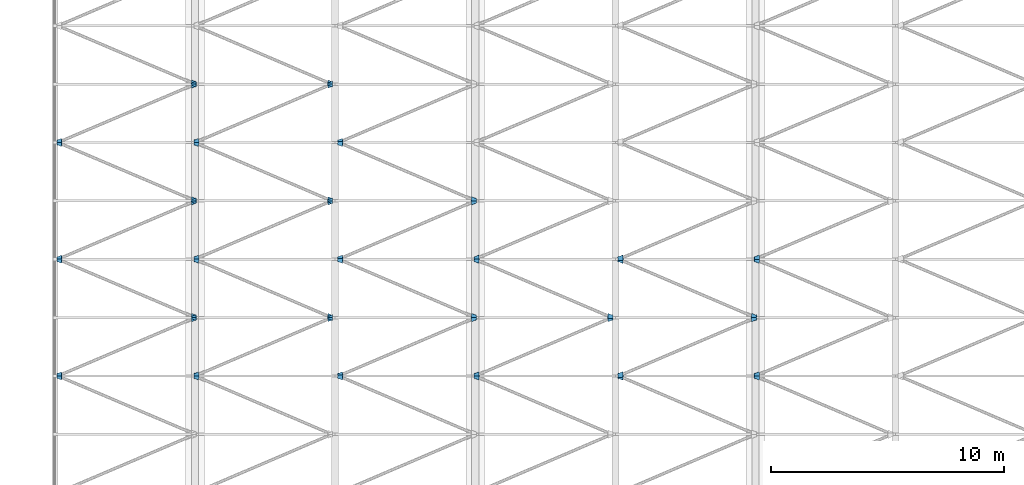
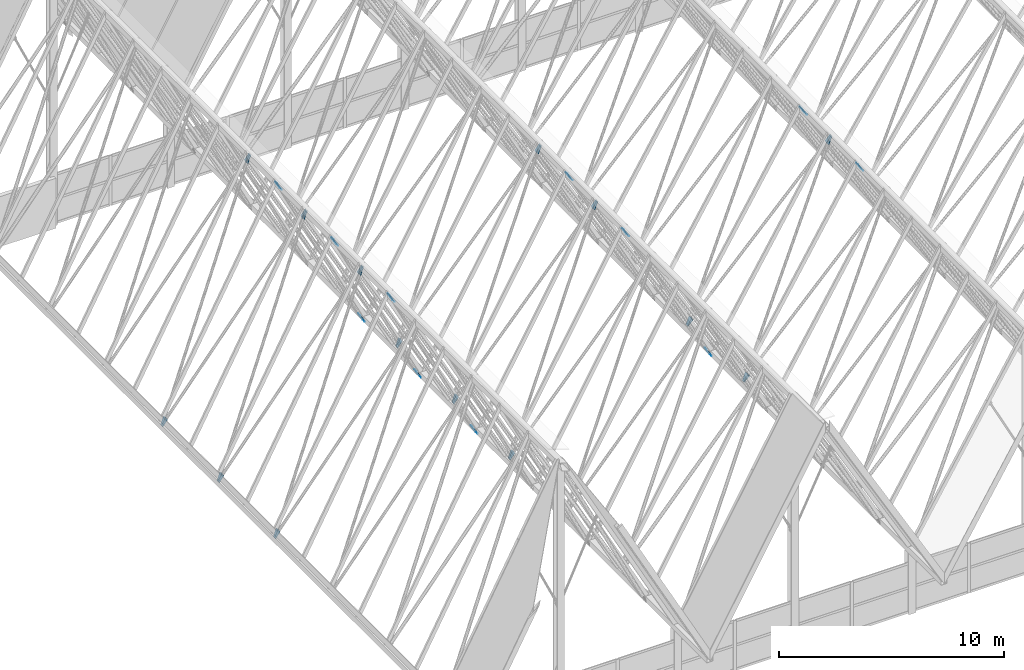
# One storey, part 415 of 483: 50 discrete accessories.
"""IFC4 building model written with IfcOpenShell, lengths in metres."""

from ifc_helpers import new_model, si_unit, direction, frame, origin, place, context, subcontext, project, spatial, polyline, outline, extrude, material, layer, layer_set, type_object, element, save


model = new_model("IFC4")

# Units and contexts
model_context = context("Model", 3, precision=1e-05, world=origin(), true_north=direction((0.0, 1.0)))
body_context = subcontext(model_context, "Body", "Model", "MODEL_VIEW")
ifc_project = project(units=[si_unit("LENGTHUNIT", "METRE"), si_unit("AREAUNIT", "SQUARE_METRE"), si_unit("VOLUMEUNIT", "CUBIC_METRE"), si_unit("PLANEANGLEUNIT", "RADIAN"), si_unit("MASSUNIT", "GRAM", prefix="KILO")], contexts=[model_context])

# Site, building, storey
site_placement = place(None, origin())
site = spatial("IfcSite", under=ifc_project, at=site_placement, CompositionType="ELEMENT")
building_placement = place(site_placement, origin())
building = spatial("IfcBuilding", under=site, at=building_placement, Name="Parallax Yard Mobility Hub", CompositionType="ELEMENT")
storey_placement = place(building_placement, frame((0.0, 0.0, 13.199951171875)))
storey = spatial("IfcBuildingStorey", under=building, at=storey_placement, Name="L04", CompositionType="ELEMENT", Elevation=13.199951171875)

# Discrete accessories
ifc_material = material(Name="Steel ASTM A36", Category="steel")
ifc_layer = layer(ifc_material, 0.011962890625)
ifc_layer_set = layer_set([ifc_layer], Name="Gusset plate PL12")
discrete_accessory_type = type_object("IfcDiscreteAccessoryType", Name="Gusset plate PL12", PredefinedType="BRACKET", material=ifc_layer_set)
discrete_accessory_1_placement = place(storey_placement, frame((27.17578125, 22.537109375, 13.36328125), z_axis=(0.868754580943, 0.000345341315, 0.495242727185), x_axis=(-0.484568892137, 0.207090666988, 0.84988613615)))
element("IfcDiscreteAccessory", 1, at=discrete_accessory_1_placement, inside=storey, type_object=discrete_accessory_type, Name="Gusset plate PL12 at end 2 of Plate diagonal plate F4-F5 bay 6", PredefinedType="BRACKET", context=body_context, shape_type="SweptSolid", body=[
    extrude(outline(polyline([(0.0, 0.0), (0.4196908714630526, 0.0), (0.4196962682363814, 0.21960554386399633), (5.3967733288293185e-06, 0.2196055438639963), (0.0, 0.0)])), origin(), (0.0, 0.0, -1.0), 0.011962890625),
])
discrete_accessory_2_placement = place(storey_placement, frame((33.33740234375, 22.533447265625, 3.716552734375), z_axis=(-0.854018875597, 0.000557720542, 0.520241721771), x_axis=(-0.507742563773, 0.21699439579, -0.833733123445)))
element("IfcDiscreteAccessory", 2, at=discrete_accessory_2_placement, inside=storey, type_object=discrete_accessory_type, Name="Gusset plate PL12 at end 2 of Plate diagonal plate F5-F6 bay 6", PredefinedType="BRACKET", context=body_context, shape_type="SweptSolid", body=[
    extrude(outline(polyline([(0.0, 0.0), (0.41966253264156217, 0.0), (0.41978511409084773, 0.219614864219578), (-8.096667655547313e-05, 0.21956968987108047), (0.0, 0.0)])), origin(), (0.0, 0.0, -1.0), 0.011962890625),
])
discrete_accessory_3_placement = place(storey_placement, frame((39.184814453125, 22.533447265625, 12.711669921875), z_axis=(0.854016692741, 0.000119683392, 0.52024559027), x_axis=(-0.50787179366, 0.216994477704, 0.833654387532)))
element("IfcDiscreteAccessory", 3, at=discrete_accessory_3_placement, inside=storey, type_object=discrete_accessory_type, Name="Gusset plate PL12 at end 2 of Plate diagonal plate F6-F7 bay 6", PredefinedType="BRACKET", context=body_context, shape_type="SweptSolid", body=[
    extrude(outline(polyline([(0.0, 0.0), (0.41966253744663834, -1.3877787807814457e-17), (0.4194575882440381, 0.21954206328546932), (-0.00020494920260025196, 0.21954206328546932), (0.0, 0.0)])), origin(), (0.0, 0.0, -1.0), 0.011962890625),
])
discrete_accessory_4_placement = place(storey_placement, frame((9.29443359375, 22.540771484375, 3.678955078125), z_axis=(-0.881330506499, 0.000364781086, 0.472500164284), x_axis=(-0.463153892363, 0.197247700391, -0.864049661003)))
element("IfcDiscreteAccessory", 4, at=discrete_accessory_4_placement, inside=storey, type_object=discrete_accessory_type, Name="Gusset plate PL12 at end 2 of Plate diagonal plate F1-F2 bay 6", PredefinedType="BRACKET", context=body_context, shape_type="SweptSolid", body=[
    extrude(outline(polyline([(0.0, 0.0), (0.4195925818708517, 0.0), (0.4195252484554286, 0.21963375914747532), (-6.7333415423039e-05, 0.21963375914747532), (0.0, 0.0)])), origin(), (0.0, 0.0, -1.0), 0.011962890625),
])
discrete_accessory_5_placement = place(storey_placement, frame((15.16748046875, 22.54052734375, 14.016357421875), z_axis=(0.881379531928, 0.00015000554, 0.472408825274), x_axis=(-0.463100667478, 0.197806817767, 0.863950365835)))
element("IfcDiscreteAccessory", 5, at=discrete_accessory_5_placement, inside=storey, type_object=discrete_accessory_type, Name="Gusset plate PL12 at end 2 of Plate diagonal plate F2-F3 bay 6", PredefinedType="BRACKET", context=body_context, shape_type="SweptSolid", body=[
    extrude(outline(polyline([(0.0, 0.0), (0.4196408063032597, 0.0), (0.4196591291142459, 0.21967623587709556), (1.8322810986286242e-05, 0.2196762358770956), (0.0, 0.0)])), origin(), (0.0, 0.0, -1.0), 0.011962890625),
])
discrete_accessory_6_placement = place(storey_placement, frame((21.328369140625, 22.537109375, 3.72216796875), z_axis=(-0.868696794053, 0.000898687081, 0.495343388332), x_axis=(-0.484454521055, 0.206988455494, -0.849976232798)))
element("IfcDiscreteAccessory", 6, at=discrete_accessory_6_placement, inside=storey, type_object=discrete_accessory_type, Name="Gusset plate PL12 at end 2 of Plate diagonal plate F3-F4 bay 6", PredefinedType="BRACKET", context=body_context, shape_type="SweptSolid", body=[
    extrude(outline(polyline([(0.0, 0.0), (0.4198983785511328, 1.3877787807814457e-17), (0.41983749063708, 0.21958679860225017), (0.00014662581465764435, 0.21963059128649676), (0.0, 0.0)])), origin(), (0.0, 0.0, -1.0), 0.011962890625),
])
discrete_accessory_7_placement = place(storey_placement, frame((27.1533203125, 22.677734375, 13.40283203125), z_axis=(0.868754580943, -0.000345341315, 0.495242727185), x_axis=(-0.484568892137, -0.207090666988, 0.84988613615)))
element("IfcDiscreteAccessory", 7, at=discrete_accessory_7_placement, inside=storey, type_object=discrete_accessory_type, Name="Gusset plate PL12 at end 1 of Plate diagonal plate F4-F5 bay 7", PredefinedType="BRACKET", context=body_context, shape_type="SweptSolid", body=[
    extrude(outline(polyline([(0.0, 0.0), (0.4196908714630526, 0.0), (0.4196854746897237, 0.2196055438639963), (-5.3967733288293185e-06, 0.2196055438639963), (0.0, 0.0)])), origin(), (0.0, 0.0, -1.0), 0.011962890625),
])
discrete_accessory_8_placement = place(storey_placement, frame((32.6943359375, 24.822265625, 3.6826171875), z_axis=(0.868696794053, 0.000898687081, 0.495343388332), x_axis=(0.484443740172, 0.207090539659, -0.849957511286)))
element("IfcDiscreteAccessory", 8, at=discrete_accessory_8_placement, inside=storey, type_object=discrete_accessory_type, Name="Gusset plate PL12 at end 2 of Plate diagonal plate F4-F5 bay 7", PredefinedType="BRACKET", context=body_context, shape_type="SweptSolid", body=[
    extrude(outline(polyline([(0.0, 0.0), (0.41969086710719833, 1.3877787807814457e-17), (0.4197746678267241, 0.21958679105347548), (-0.00012370843850314367, 0.21963060539052376), (0.0, 0.0)])), origin(), (0.0, 0.0, -1.0), 0.011962890625),
])
discrete_accessory_9_placement = place(storey_placement, frame((33.3125, 22.680908203125, 3.676025390625), z_axis=(-0.854018875597, -0.000557720542, 0.520241721771), x_axis=(-0.507754756906, -0.21688936589, -0.833753026863)))
element("IfcDiscreteAccessory", 9, at=discrete_accessory_9_placement, inside=storey, type_object=discrete_accessory_type, Name="Gusset plate PL12 at end 1 of Plate diagonal plate F5-F6 bay 7", PredefinedType="BRACKET", context=body_context, shape_type="SweptSolid", body=[
    extrude(outline(polyline([(0.0, 0.0), (0.41986608319760876, -1.3877787807814457e-17), (0.41971987288542956, 0.219614849759619), (5.7342672894721e-05, 0.21956969731158954), (0.0, 0.0)])), origin(), (0.0, 0.0, -1.0), 0.011962890625),
])
for number, where, z_axis, x_axis, name in (
    (10, (38.83984375, 24.819091796875, 12.752197265625), (-0.854016692741, 0.000119683392, 0.52024559027), (0.50787179366, 0.216994477704, 0.833654387532), "Gusset plate PL12 at end 2 of Plate diagonal plate F5-F6 bay 7"),
    (11, (39.16015625, 22.680908203125, 12.752197265625), (0.854016692741, -0.000119683392, 0.52024559027), (-0.50787179366, -0.216994477704, 0.833654387532), "Gusset plate PL12 at end 1 of Plate diagonal plate F6-F7 bay 7"),
):
    element("IfcDiscreteAccessory", number, at=place(storey_placement, frame(where, z_axis=z_axis, x_axis=x_axis)), inside=storey, type_object=discrete_accessory_type, Name=name, PredefinedType="BRACKET", context=body_context, shape_type="SweptSolid", body=[
        extrude(outline(polyline([(0.0, 0.0), (0.41966253744663834, 1.3877787807814457e-17), (0.41986748664923856, 0.21954206328546938), (0.00020494920260025196, 0.21954206328546932), (0.0, 0.0)])), origin(), (0.0, 0.0, -1.0), 0.011962890625),
    ])
discrete_accessory_10_placement = place(storey_placement, frame((9.27392578125, 22.674560546875, 3.640869140625), z_axis=(-0.881330506499, -0.000364781086, 0.472500164284), x_axis=(-0.463153892363, -0.197247700391, -0.864049661003)))
element("IfcDiscreteAccessory", 12, at=discrete_accessory_10_placement, inside=storey, type_object=discrete_accessory_type, Name="Gusset plate PL12 at end 1 of Plate diagonal plate F1-F2 bay 7", PredefinedType="BRACKET", context=body_context, shape_type="SweptSolid", body=[
    extrude(outline(polyline([(0.0, 0.0), (0.4195925818708517, 0.0), (0.4196599152862747, 0.21963375914747532), (6.7333415423039e-05, 0.21963375914747532), (0.0, 0.0)])), origin(), (0.0, 0.0, -1.0), 0.011962890625),
])
discrete_accessory_11_placement = place(storey_placement, frame((14.85302734375, 24.825439453125, 14.054443359375), z_axis=(-0.881457749689, -0.000418899554, 0.472262702356), x_axis=(0.462921139514, 0.197148575748, 0.864197001656)))
element("IfcDiscreteAccessory", 13, at=discrete_accessory_11_placement, inside=storey, type_object=discrete_accessory_type, Name="Gusset plate PL12 at end 2 of Plate diagonal plate F1-F2 bay 7", PredefinedType="BRACKET", context=body_context, shape_type="SweptSolid", body=[
    extrude(outline(polyline([(0.0, 0.0), (0.4198035494855601, 0.0), (0.4198486998351981, 0.2196337648279198), (4.515034963806924e-05, 0.2196337648279198), (0.0, 0.0)])), origin(), (0.0, 0.0, -1.0), 0.011962890625),
])
discrete_accessory_12_placement = place(storey_placement, frame((15.14697265625, 22.6748046875, 14.0546875), z_axis=(0.881379531928, -0.00015000554, 0.472408825274), x_axis=(-0.463100667478, -0.197806817767, 0.863950365835)))
element("IfcDiscreteAccessory", 14, at=discrete_accessory_12_placement, inside=storey, type_object=discrete_accessory_type, Name="Gusset plate PL12 at end 1 of Plate diagonal plate F2-F3 bay 7", PredefinedType="BRACKET", context=body_context, shape_type="SweptSolid", body=[
    extrude(outline(polyline([(0.0, 0.0), (0.4196408063032597, 0.0), (0.4196224834922734, 0.21967623587709556), (-1.8322810986286242e-05, 0.2196762358770956), (0.0, 0.0)])), origin(), (0.0, 0.0, -1.0), 0.011962890625),
])
discrete_accessory_13_placement = place(storey_placement, frame((20.70068359375, 24.8251953125, 3.688232421875), z_axis=(0.881506711294, -9.5645112e-05, 0.472171482404), x_axis=(0.462867994823, 0.197707434975, -0.86409778933)))
element("IfcDiscreteAccessory", 15, at=discrete_accessory_13_placement, inside=storey, type_object=discrete_accessory_type, Name="Gusset plate PL12 at end 2 of Plate diagonal plate F2-F3 bay 7", PredefinedType="BRACKET", context=body_context, shape_type="SweptSolid", body=[
    extrude(outline(polyline([(0.0, 0.0), (0.4198517496860976, 0.0), (0.4198111474296618, 0.21967623288902122), (-4.0602256435769146e-05, 0.21967623288902127), (0.0, 0.0)])), origin(), (0.0, 0.0, -1.0), 0.011962890625),
])
discrete_accessory_14_placement = place(storey_placement, frame((21.3056640625, 22.677734375, 3.6826171875), z_axis=(-0.868696794053, -0.000898687081, 0.495343388332), x_axis=(-0.484443740172, -0.207090539659, -0.849957511286)))
element("IfcDiscreteAccessory", 16, at=discrete_accessory_14_placement, inside=storey, type_object=discrete_accessory_type, Name="Gusset plate PL12 at end 1 of Plate diagonal plate F3-F4 bay 7", PredefinedType="BRACKET", context=body_context, shape_type="SweptSolid", body=[
    extrude(outline(polyline([(0.0, 0.0), (0.41969086710719833, 1.3877787807814457e-17), (0.4197746678267241, 0.21958679105347548), (-0.00012370843850314367, 0.21963060539052376), (0.0, 0.0)])), origin(), (0.0, 0.0, -1.0), 0.011962890625),
])
discrete_accessory_15_placement = place(storey_placement, frame((26.8466796875, 24.822265625, 13.40283203125), z_axis=(-0.868754580943, 0.000345341315, 0.495242727185), x_axis=(0.484568892137, 0.207090666988, 0.84988613615)))
element("IfcDiscreteAccessory", 17, at=discrete_accessory_15_placement, inside=storey, type_object=discrete_accessory_type, Name="Gusset plate PL12 at end 2 of Plate diagonal plate F3-F4 bay 7", PredefinedType="BRACKET", context=body_context, shape_type="SweptSolid", body=[
    extrude(outline(polyline([(0.0, 0.0), (0.4196908714630526, 0.0), (0.4196854746897237, 0.2196055438639963), (-5.3967733288293185e-06, 0.2196055438639963), (0.0, 0.0)])), origin(), (0.0, 0.0, -1.0), 0.011962890625),
])
discrete_accessory_16_placement = place(storey_placement, frame((32.671630859375, 24.962890625, 3.72216796875), z_axis=(0.868696794053, -0.000898687081, 0.495343388332), x_axis=(0.484454521055, -0.206988455494, -0.849976232798)))
element("IfcDiscreteAccessory", 18, at=discrete_accessory_16_placement, inside=storey, type_object=discrete_accessory_type, Name="Gusset plate PL12 at end 1 of Plate diagonal plate F4-F5 bay 8", PredefinedType="BRACKET", context=body_context, shape_type="SweptSolid", body=[
    extrude(outline(polyline([(0.0, 0.0), (0.4198983785511328, 1.3877787807814457e-17), (0.41983749063708, 0.21958679860225017), (0.00014662581465764435, 0.21963059128649676), (0.0, 0.0)])), origin(), (0.0, 0.0, -1.0), 0.011962890625),
])
discrete_accessory_17_placement = place(storey_placement, frame((27.17578125, 27.537109375, 13.36328125), z_axis=(0.868754580943, 0.000345341315, 0.495242727185), x_axis=(-0.484568892137, 0.207090666988, 0.84988613615)))
element("IfcDiscreteAccessory", 19, at=discrete_accessory_17_placement, inside=storey, type_object=discrete_accessory_type, Name="Gusset plate PL12 at end 2 of Plate diagonal plate F4-F5 bay 8", PredefinedType="BRACKET", context=body_context, shape_type="SweptSolid", body=[
    extrude(outline(polyline([(0.0, 0.0), (0.4196908714630526, 0.0), (0.4196962682363814, 0.21960554386399633), (5.3967733288293185e-06, 0.2196055438639963), (0.0, 0.0)])), origin(), (0.0, 0.0, -1.0), 0.011962890625),
])
discrete_accessory_18_placement = place(storey_placement, frame((38.815185546875, 24.966552734375, 12.711669921875), z_axis=(-0.854016692741, -0.000119683392, 0.52024559027), x_axis=(0.50787179366, -0.216994477704, 0.833654387532)))
element("IfcDiscreteAccessory", 20, at=discrete_accessory_18_placement, inside=storey, type_object=discrete_accessory_type, Name="Gusset plate PL12 at end 1 of Plate diagonal plate F5-F6 bay 8", PredefinedType="BRACKET", context=body_context, shape_type="SweptSolid", body=[
    extrude(outline(polyline([(0.0, 0.0), (0.41966253744663834, -1.3877787807814457e-17), (0.4194575882440381, 0.21954206328546932), (-0.00020494920260025196, 0.21954206328546932), (0.0, 0.0)])), origin(), (0.0, 0.0, -1.0), 0.011962890625),
])
discrete_accessory_19_placement = place(storey_placement, frame((33.33740234375, 27.533447265625, 3.716552734375), z_axis=(-0.854018875597, 0.000557720542, 0.520241721771), x_axis=(-0.507742563773, 0.21699439579, -0.833733123445)))
element("IfcDiscreteAccessory", 21, at=discrete_accessory_19_placement, inside=storey, type_object=discrete_accessory_type, Name="Gusset plate PL12 at end 2 of Plate diagonal plate F5-F6 bay 8", PredefinedType="BRACKET", context=body_context, shape_type="SweptSolid", body=[
    extrude(outline(polyline([(0.0, 0.0), (0.41966253264156217, 0.0), (0.41978511409084773, 0.219614864219578), (-8.096667655547313e-05, 0.21956968987108047), (0.0, 0.0)])), origin(), (0.0, 0.0, -1.0), 0.011962890625),
])
discrete_accessory_20_placement = place(storey_placement, frame((39.184814453125, 27.533447265625, 12.711669921875), z_axis=(0.854016692741, 0.000119683392, 0.52024559027), x_axis=(-0.50787179366, 0.216994477704, 0.833654387532)))
element("IfcDiscreteAccessory", 22, at=discrete_accessory_20_placement, inside=storey, type_object=discrete_accessory_type, Name="Gusset plate PL12 at end 2 of Plate diagonal plate F6-F7 bay 8", PredefinedType="BRACKET", context=body_context, shape_type="SweptSolid", body=[
    extrude(outline(polyline([(0.0, 0.0), (0.41966253744663834, -1.3877787807814457e-17), (0.4194575882440381, 0.21954206328546932), (-0.00020494920260025196, 0.21954206328546932), (0.0, 0.0)])), origin(), (0.0, 0.0, -1.0), 0.011962890625),
])
discrete_accessory_21_placement = place(storey_placement, frame((14.83251953125, 24.959228515625, 14.016357421875), z_axis=(-0.881457749689, 0.000418899554, 0.472262702356), x_axis=(0.462921139514, -0.197148575748, 0.864197001656)))
element("IfcDiscreteAccessory", 23, at=discrete_accessory_21_placement, inside=storey, type_object=discrete_accessory_type, Name="Gusset plate PL12 at end 1 of Plate diagonal plate F1-F2 bay 8", PredefinedType="BRACKET", context=body_context, shape_type="SweptSolid", body=[
    extrude(outline(polyline([(0.0, 0.0), (0.4198035494855601, 0.0), (0.419758399135922, 0.21963376482791974), (-4.515034963806924e-05, 0.2196337648279198), (0.0, 0.0)])), origin(), (0.0, 0.0, -1.0), 0.011962890625),
])
discrete_accessory_22_placement = place(storey_placement, frame((9.29443359375, 27.540771484375, 3.678955078125), z_axis=(-0.881330506499, 0.000364781086, 0.472500164284), x_axis=(-0.463153892363, 0.197247700391, -0.864049661003)))
element("IfcDiscreteAccessory", 24, at=discrete_accessory_22_placement, inside=storey, type_object=discrete_accessory_type, Name="Gusset plate PL12 at end 2 of Plate diagonal plate F1-F2 bay 8", PredefinedType="BRACKET", context=body_context, shape_type="SweptSolid", body=[
    extrude(outline(polyline([(0.0, 0.0), (0.4195925818708517, 0.0), (0.4195252484554286, 0.21963375914747532), (-6.7333415423039e-05, 0.21963375914747532), (0.0, 0.0)])), origin(), (0.0, 0.0, -1.0), 0.011962890625),
])
discrete_accessory_23_placement = place(storey_placement, frame((20.68017578125, 24.95947265625, 3.7265625), z_axis=(0.881506711294, 9.5645112e-05, 0.472171482404), x_axis=(0.462867994823, -0.197707434975, -0.86409778933)))
element("IfcDiscreteAccessory", 25, at=discrete_accessory_23_placement, inside=storey, type_object=discrete_accessory_type, Name="Gusset plate PL12 at end 1 of Plate diagonal plate F2-F3 bay 8", PredefinedType="BRACKET", context=body_context, shape_type="SweptSolid", body=[
    extrude(outline(polyline([(0.0, 0.0), (0.4198517496860976, 0.0), (0.4198923519425334, 0.21967623288902127), (4.0602256435769146e-05, 0.21967623288902127), (0.0, 0.0)])), origin(), (0.0, 0.0, -1.0), 0.011962890625),
])
discrete_accessory_24_placement = place(storey_placement, frame((15.16748046875, 27.54052734375, 14.016357421875), z_axis=(0.881379531928, 0.00015000554, 0.472408825274), x_axis=(-0.463100667478, 0.197806817767, 0.863950365835)))
element("IfcDiscreteAccessory", 26, at=discrete_accessory_24_placement, inside=storey, type_object=discrete_accessory_type, Name="Gusset plate PL12 at end 2 of Plate diagonal plate F2-F3 bay 8", PredefinedType="BRACKET", context=body_context, shape_type="SweptSolid", body=[
    extrude(outline(polyline([(0.0, 0.0), (0.4196408063032597, 0.0), (0.4196591291142459, 0.21967623587709556), (1.8322810986286242e-05, 0.2196762358770956), (0.0, 0.0)])), origin(), (0.0, 0.0, -1.0), 0.011962890625),
])
discrete_accessory_25_placement = place(storey_placement, frame((26.82421875, 24.962890625, 13.36328125), z_axis=(-0.868754580943, -0.000345341315, 0.495242727185), x_axis=(0.484568892137, -0.207090666988, 0.84988613615)))
element("IfcDiscreteAccessory", 27, at=discrete_accessory_25_placement, inside=storey, type_object=discrete_accessory_type, Name="Gusset plate PL12 at end 1 of Plate diagonal plate F3-F4 bay 8", PredefinedType="BRACKET", context=body_context, shape_type="SweptSolid", body=[
    extrude(outline(polyline([(0.0, 0.0), (0.4196908714630526, 0.0), (0.4196962682363814, 0.21960554386399633), (5.3967733288293185e-06, 0.2196055438639963), (0.0, 0.0)])), origin(), (0.0, 0.0, -1.0), 0.011962890625),
])
discrete_accessory_26_placement = place(storey_placement, frame((21.328369140625, 27.537109375, 3.72216796875), z_axis=(-0.868696794053, 0.000898687081, 0.495343388332), x_axis=(-0.484454521055, 0.206988455494, -0.849976232798)))
element("IfcDiscreteAccessory", 28, at=discrete_accessory_26_placement, inside=storey, type_object=discrete_accessory_type, Name="Gusset plate PL12 at end 2 of Plate diagonal plate F3-F4 bay 8", PredefinedType="BRACKET", context=body_context, shape_type="SweptSolid", body=[
    extrude(outline(polyline([(0.0, 0.0), (0.4198983785511328, 1.3877787807814457e-17), (0.41983749063708, 0.21958679860225017), (0.00014662581465764435, 0.21963059128649676), (0.0, 0.0)])), origin(), (0.0, 0.0, -1.0), 0.011962890625),
])
discrete_accessory_27_placement = place(storey_placement, frame((27.1533203125, 27.677734375, 13.40283203125), z_axis=(0.868754580943, -0.000345341315, 0.495242727185), x_axis=(-0.484568892137, -0.207090666988, 0.84988613615)))
element("IfcDiscreteAccessory", 29, at=discrete_accessory_27_placement, inside=storey, type_object=discrete_accessory_type, Name="Gusset plate PL12 at end 1 of Plate diagonal plate F4-F5 bay 9", PredefinedType="BRACKET", context=body_context, shape_type="SweptSolid", body=[
    extrude(outline(polyline([(0.0, 0.0), (0.4196908714630526, 0.0), (0.4196854746897237, 0.2196055438639963), (-5.3967733288293185e-06, 0.2196055438639963), (0.0, 0.0)])), origin(), (0.0, 0.0, -1.0), 0.011962890625),
])
discrete_accessory_28_placement = place(storey_placement, frame((33.3125, 27.680908203125, 3.676025390625), z_axis=(-0.854018875597, -0.000557720542, 0.520241721771), x_axis=(-0.507754756906, -0.21688936589, -0.833753026863)))
element("IfcDiscreteAccessory", 30, at=discrete_accessory_28_placement, inside=storey, type_object=discrete_accessory_type, Name="Gusset plate PL12 at end 1 of Plate diagonal plate F5-F6 bay 9", PredefinedType="BRACKET", context=body_context, shape_type="SweptSolid", body=[
    extrude(outline(polyline([(0.0, 0.0), (0.41986608319760876, -1.3877787807814457e-17), (0.41971987288542956, 0.219614849759619), (5.7342672894721e-05, 0.21956969731158954), (0.0, 0.0)])), origin(), (0.0, 0.0, -1.0), 0.011962890625),
])
discrete_accessory_29_placement = place(storey_placement, frame((39.16015625, 27.680908203125, 12.752197265625), z_axis=(0.854016692741, -0.000119683392, 0.52024559027), x_axis=(-0.50787179366, -0.216994477704, 0.833654387532)))
element("IfcDiscreteAccessory", 31, at=discrete_accessory_29_placement, inside=storey, type_object=discrete_accessory_type, Name="Gusset plate PL12 at end 1 of Plate diagonal plate F6-F7 bay 9", PredefinedType="BRACKET", context=body_context, shape_type="SweptSolid", body=[
    extrude(outline(polyline([(0.0, 0.0), (0.41966253744663834, 1.3877787807814457e-17), (0.41986748664923856, 0.21954206328546938), (0.00020494920260025196, 0.21954206328546932), (0.0, 0.0)])), origin(), (0.0, 0.0, -1.0), 0.011962890625),
])
discrete_accessory_30_placement = place(storey_placement, frame((9.27392578125, 27.674560546875, 3.640869140625), z_axis=(-0.881330506499, -0.000364781086, 0.472500164284), x_axis=(-0.463153892363, -0.197247700391, -0.864049661003)))
element("IfcDiscreteAccessory", 32, at=discrete_accessory_30_placement, inside=storey, type_object=discrete_accessory_type, Name="Gusset plate PL12 at end 1 of Plate diagonal plate F1-F2 bay 9", PredefinedType="BRACKET", context=body_context, shape_type="SweptSolid", body=[
    extrude(outline(polyline([(0.0, 0.0), (0.4195925818708517, 0.0), (0.4196599152862747, 0.21963375914747532), (6.7333415423039e-05, 0.21963375914747532), (0.0, 0.0)])), origin(), (0.0, 0.0, -1.0), 0.011962890625),
])
discrete_accessory_31_placement = place(storey_placement, frame((14.85302734375, 29.825439453125, 14.054443359375), z_axis=(-0.881457749689, -0.000418899554, 0.472262702356), x_axis=(0.462921139514, 0.197148575748, 0.864197001656)))
element("IfcDiscreteAccessory", 33, at=discrete_accessory_31_placement, inside=storey, type_object=discrete_accessory_type, Name="Gusset plate PL12 at end 2 of Plate diagonal plate F1-F2 bay 9", PredefinedType="BRACKET", context=body_context, shape_type="SweptSolid", body=[
    extrude(outline(polyline([(0.0, 0.0), (0.4198035494855601, 0.0), (0.4198486998351981, 0.2196337648279198), (4.515034963806924e-05, 0.2196337648279198), (0.0, 0.0)])), origin(), (0.0, 0.0, -1.0), 0.011962890625),
])
discrete_accessory_32_placement = place(storey_placement, frame((15.14697265625, 27.6748046875, 14.0546875), z_axis=(0.881379531928, -0.00015000554, 0.472408825274), x_axis=(-0.463100667478, -0.197806817767, 0.863950365835)))
element("IfcDiscreteAccessory", 34, at=discrete_accessory_32_placement, inside=storey, type_object=discrete_accessory_type, Name="Gusset plate PL12 at end 1 of Plate diagonal plate F2-F3 bay 9", PredefinedType="BRACKET", context=body_context, shape_type="SweptSolid", body=[
    extrude(outline(polyline([(0.0, 0.0), (0.4196408063032597, 0.0), (0.4196224834922734, 0.21967623587709556), (-1.8322810986286242e-05, 0.2196762358770956), (0.0, 0.0)])), origin(), (0.0, 0.0, -1.0), 0.011962890625),
])
discrete_accessory_33_placement = place(storey_placement, frame((20.70068359375, 29.8251953125, 3.688232421875), z_axis=(0.881506711294, -9.5645112e-05, 0.472171482404), x_axis=(0.462867994823, 0.197707434975, -0.86409778933)))
element("IfcDiscreteAccessory", 35, at=discrete_accessory_33_placement, inside=storey, type_object=discrete_accessory_type, Name="Gusset plate PL12 at end 2 of Plate diagonal plate F2-F3 bay 9", PredefinedType="BRACKET", context=body_context, shape_type="SweptSolid", body=[
    extrude(outline(polyline([(0.0, 0.0), (0.4198517496860976, 0.0), (0.4198111474296618, 0.21967623288902122), (-4.0602256435769146e-05, 0.21967623288902127), (0.0, 0.0)])), origin(), (0.0, 0.0, -1.0), 0.011962890625),
])
discrete_accessory_34_placement = place(storey_placement, frame((21.3056640625, 27.677734375, 3.6826171875), z_axis=(-0.868696794053, -0.000898687081, 0.495343388332), x_axis=(-0.484443740172, -0.207090539659, -0.849957511286)))
element("IfcDiscreteAccessory", 36, at=discrete_accessory_34_placement, inside=storey, type_object=discrete_accessory_type, Name="Gusset plate PL12 at end 1 of Plate diagonal plate F3-F4 bay 9", PredefinedType="BRACKET", context=body_context, shape_type="SweptSolid", body=[
    extrude(outline(polyline([(0.0, 0.0), (0.41969086710719833, 1.3877787807814457e-17), (0.4197746678267241, 0.21958679105347548), (-0.00012370843850314367, 0.21963060539052376), (0.0, 0.0)])), origin(), (0.0, 0.0, -1.0), 0.011962890625),
])
discrete_accessory_35_placement = place(storey_placement, frame((26.8466796875, 29.822265625, 13.40283203125), z_axis=(-0.868754580943, 0.000345341315, 0.495242727185), x_axis=(0.484568892137, 0.207090666988, 0.84988613615)))
element("IfcDiscreteAccessory", 37, at=discrete_accessory_35_placement, inside=storey, type_object=discrete_accessory_type, Name="Gusset plate PL12 at end 2 of Plate diagonal plate F3-F4 bay 9", PredefinedType="BRACKET", context=body_context, shape_type="SweptSolid", body=[
    extrude(outline(polyline([(0.0, 0.0), (0.4196908714630526, 0.0), (0.4196854746897237, 0.2196055438639963), (-5.3967733288293185e-06, 0.2196055438639963), (0.0, 0.0)])), origin(), (0.0, 0.0, -1.0), 0.011962890625),
])
discrete_accessory_36_placement = place(storey_placement, frame((14.83251953125, 29.959228515625, 14.016357421875), z_axis=(-0.881457749689, 0.000418899554, 0.472262702356), x_axis=(0.462921139514, -0.197148575748, 0.864197001656)))
element("IfcDiscreteAccessory", 38, at=discrete_accessory_36_placement, inside=storey, type_object=discrete_accessory_type, Name="Gusset plate PL12 at end 1 of Plate diagonal plate F1-F2 bay 10", PredefinedType="BRACKET", context=body_context, shape_type="SweptSolid", body=[
    extrude(outline(polyline([(0.0, 0.0), (0.4198035494855601, 0.0), (0.419758399135922, 0.21963376482791974), (-4.515034963806924e-05, 0.2196337648279198), (0.0, 0.0)])), origin(), (0.0, 0.0, -1.0), 0.011962890625),
])
discrete_accessory_37_placement = place(storey_placement, frame((9.29443359375, 32.540771484375, 3.678955078125), z_axis=(-0.881330506499, 0.000364781086, 0.472500164284), x_axis=(-0.463153892363, 0.197247700391, -0.864049661003)))
element("IfcDiscreteAccessory", 39, at=discrete_accessory_37_placement, inside=storey, type_object=discrete_accessory_type, Name="Gusset plate PL12 at end 2 of Plate diagonal plate F1-F2 bay 10", PredefinedType="BRACKET", context=body_context, shape_type="SweptSolid", body=[
    extrude(outline(polyline([(0.0, 0.0), (0.4195925818708517, 0.0), (0.4195252484554286, 0.21963375914747532), (-6.7333415423039e-05, 0.21963375914747532), (0.0, 0.0)])), origin(), (0.0, 0.0, -1.0), 0.011962890625),
])
discrete_accessory_38_placement = place(storey_placement, frame((20.68017578125, 29.95947265625, 3.7265625), z_axis=(0.881506711294, 9.5645112e-05, 0.472171482404), x_axis=(0.462867994823, -0.197707434975, -0.86409778933)))
element("IfcDiscreteAccessory", 40, at=discrete_accessory_38_placement, inside=storey, type_object=discrete_accessory_type, Name="Gusset plate PL12 at end 1 of Plate diagonal plate F2-F3 bay 10", PredefinedType="BRACKET", context=body_context, shape_type="SweptSolid", body=[
    extrude(outline(polyline([(0.0, 0.0), (0.4198517496860976, 0.0), (0.4198923519425334, 0.21967623288902127), (4.0602256435769146e-05, 0.21967623288902127), (0.0, 0.0)])), origin(), (0.0, 0.0, -1.0), 0.011962890625),
])
discrete_accessory_39_placement = place(storey_placement, frame((15.16748046875, 32.54052734375, 14.016357421875), z_axis=(0.881379531928, 0.00015000554, 0.472408825274), x_axis=(-0.463100667478, 0.197806817767, 0.863950365835)))
element("IfcDiscreteAccessory", 41, at=discrete_accessory_39_placement, inside=storey, type_object=discrete_accessory_type, Name="Gusset plate PL12 at end 2 of Plate diagonal plate F2-F3 bay 10", PredefinedType="BRACKET", context=body_context, shape_type="SweptSolid", body=[
    extrude(outline(polyline([(0.0, 0.0), (0.4196408063032597, 0.0), (0.4196591291142459, 0.21967623587709556), (1.8322810986286242e-05, 0.2196762358770956), (0.0, 0.0)])), origin(), (0.0, 0.0, -1.0), 0.011962890625),
])
discrete_accessory_40_placement = place(storey_placement, frame((26.82421875, 29.962890625, 13.36328125), z_axis=(-0.868754580943, -0.000345341315, 0.495242727185), x_axis=(0.484568892137, -0.207090666988, 0.84988613615)))
element("IfcDiscreteAccessory", 42, at=discrete_accessory_40_placement, inside=storey, type_object=discrete_accessory_type, Name="Gusset plate PL12 at end 1 of Plate diagonal plate F3-F4 bay 10", PredefinedType="BRACKET", context=body_context, shape_type="SweptSolid", body=[
    extrude(outline(polyline([(0.0, 0.0), (0.4196908714630526, 0.0), (0.4196962682363814, 0.21960554386399633), (5.3967733288293185e-06, 0.2196055438639963), (0.0, 0.0)])), origin(), (0.0, 0.0, -1.0), 0.011962890625),
])
discrete_accessory_41_placement = place(storey_placement, frame((21.328369140625, 32.537109375, 3.72216796875), z_axis=(-0.868696794053, 0.000898687081, 0.495343388332), x_axis=(-0.484454521055, 0.206988455494, -0.849976232798)))
element("IfcDiscreteAccessory", 43, at=discrete_accessory_41_placement, inside=storey, type_object=discrete_accessory_type, Name="Gusset plate PL12 at end 2 of Plate diagonal plate F3-F4 bay 10", PredefinedType="BRACKET", context=body_context, shape_type="SweptSolid", body=[
    extrude(outline(polyline([(0.0, 0.0), (0.4198983785511328, 1.3877787807814457e-17), (0.41983749063708, 0.21958679860225017), (0.00014662581465764435, 0.21963059128649676), (0.0, 0.0)])), origin(), (0.0, 0.0, -1.0), 0.011962890625),
])
discrete_accessory_42_placement = place(storey_placement, frame((9.27392578125, 32.674560546875, 3.640869140625), z_axis=(-0.881330506499, -0.000364781086, 0.472500164284), x_axis=(-0.463153892363, -0.197247700391, -0.864049661003)))
element("IfcDiscreteAccessory", 44, at=discrete_accessory_42_placement, inside=storey, type_object=discrete_accessory_type, Name="Gusset plate PL12 at end 1 of Plate diagonal plate F1-F2 bay 11", PredefinedType="BRACKET", context=body_context, shape_type="SweptSolid", body=[
    extrude(outline(polyline([(0.0, 0.0), (0.4195925818708517, 0.0), (0.4196599152862747, 0.21963375914747532), (6.7333415423039e-05, 0.21963375914747532), (0.0, 0.0)])), origin(), (0.0, 0.0, -1.0), 0.011962890625),
])
discrete_accessory_43_placement = place(storey_placement, frame((14.85302734375, 34.825439453125, 14.054443359375), z_axis=(-0.881457749689, -0.000418899554, 0.472262702356), x_axis=(0.462921139514, 0.197148575748, 0.864197001656)))
element("IfcDiscreteAccessory", 45, at=discrete_accessory_43_placement, inside=storey, type_object=discrete_accessory_type, Name="Gusset plate PL12 at end 2 of Plate diagonal plate F1-F2 bay 11", PredefinedType="BRACKET", context=body_context, shape_type="SweptSolid", body=[
    extrude(outline(polyline([(0.0, 0.0), (0.4198035494855601, 0.0), (0.4198486998351981, 0.2196337648279198), (4.515034963806924e-05, 0.2196337648279198), (0.0, 0.0)])), origin(), (0.0, 0.0, -1.0), 0.011962890625),
])
discrete_accessory_44_placement = place(storey_placement, frame((15.14697265625, 32.6748046875, 14.0546875), z_axis=(0.881379531928, -0.00015000554, 0.472408825274), x_axis=(-0.463100667478, -0.197806817767, 0.863950365835)))
element("IfcDiscreteAccessory", 46, at=discrete_accessory_44_placement, inside=storey, type_object=discrete_accessory_type, Name="Gusset plate PL12 at end 1 of Plate diagonal plate F2-F3 bay 11", PredefinedType="BRACKET", context=body_context, shape_type="SweptSolid", body=[
    extrude(outline(polyline([(0.0, 0.0), (0.4196408063032597, 0.0), (0.4196224834922734, 0.21967623587709556), (-1.8322810986286242e-05, 0.2196762358770956), (0.0, 0.0)])), origin(), (0.0, 0.0, -1.0), 0.011962890625),
])
discrete_accessory_45_placement = place(storey_placement, frame((20.70068359375, 34.8251953125, 3.688232421875), z_axis=(0.881506711294, -9.5645112e-05, 0.472171482404), x_axis=(0.462867994823, 0.197707434975, -0.86409778933)))
element("IfcDiscreteAccessory", 47, at=discrete_accessory_45_placement, inside=storey, type_object=discrete_accessory_type, Name="Gusset plate PL12 at end 2 of Plate diagonal plate F2-F3 bay 11", PredefinedType="BRACKET", context=body_context, shape_type="SweptSolid", body=[
    extrude(outline(polyline([(0.0, 0.0), (0.4198517496860976, 0.0), (0.4198111474296618, 0.21967623288902122), (-4.0602256435769146e-05, 0.21967623288902127), (0.0, 0.0)])), origin(), (0.0, 0.0, -1.0), 0.011962890625),
])
discrete_accessory_46_placement = place(storey_placement, frame((21.3056640625, 32.677734375, 3.6826171875), z_axis=(-0.868696794053, -0.000898687081, 0.495343388332), x_axis=(-0.484443740172, -0.207090539659, -0.849957511286)))
element("IfcDiscreteAccessory", 48, at=discrete_accessory_46_placement, inside=storey, type_object=discrete_accessory_type, Name="Gusset plate PL12 at end 1 of Plate diagonal plate F3-F4 bay 11", PredefinedType="BRACKET", context=body_context, shape_type="SweptSolid", body=[
    extrude(outline(polyline([(0.0, 0.0), (0.41969086710719833, 1.3877787807814457e-17), (0.4197746678267241, 0.21958679105347548), (-0.00012370843850314367, 0.21963060539052376), (0.0, 0.0)])), origin(), (0.0, 0.0, -1.0), 0.011962890625),
])
discrete_accessory_47_placement = place(storey_placement, frame((14.83251953125, 34.959228515625, 14.016357421875), z_axis=(-0.881457749689, 0.000418899554, 0.472262702356), x_axis=(0.462921139514, -0.197148575748, 0.864197001656)))
element("IfcDiscreteAccessory", 49, at=discrete_accessory_47_placement, inside=storey, type_object=discrete_accessory_type, Name="Gusset plate PL12 at end 1 of Plate diagonal plate F1-F2 bay 12", PredefinedType="BRACKET", context=body_context, shape_type="SweptSolid", body=[
    extrude(outline(polyline([(0.0, 0.0), (0.4198035494855601, 0.0), (0.419758399135922, 0.21963376482791974), (-4.515034963806924e-05, 0.2196337648279198), (0.0, 0.0)])), origin(), (0.0, 0.0, -1.0), 0.011962890625),
])
discrete_accessory_48_placement = place(storey_placement, frame((20.68017578125, 34.95947265625, 3.7265625), z_axis=(0.881506711294, 9.5645112e-05, 0.472171482404), x_axis=(0.462867994823, -0.197707434975, -0.86409778933)))
element("IfcDiscreteAccessory", 50, at=discrete_accessory_48_placement, inside=storey, type_object=discrete_accessory_type, Name="Gusset plate PL12 at end 1 of Plate diagonal plate F2-F3 bay 12", PredefinedType="BRACKET", context=body_context, shape_type="SweptSolid", body=[
    extrude(outline(polyline([(0.0, 0.0), (0.4198517496860976, 0.0), (0.4198923519425334, 0.21967623288902127), (4.0602256435769146e-05, 0.21967623288902127), (0.0, 0.0)])), origin(), (0.0, 0.0, -1.0), 0.011962890625),
])

save(model, "model.ifc")
